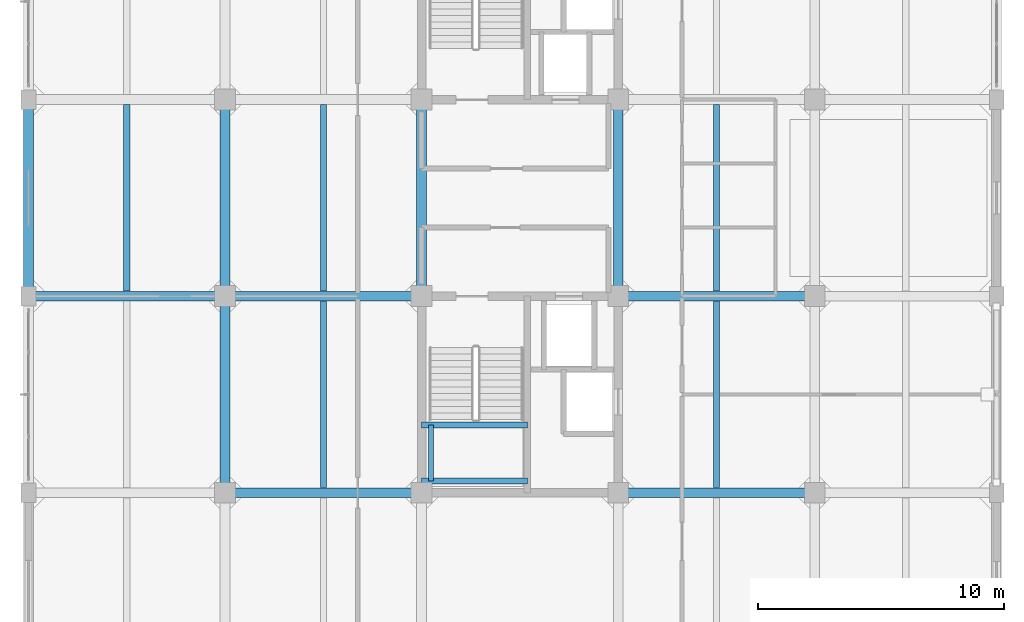
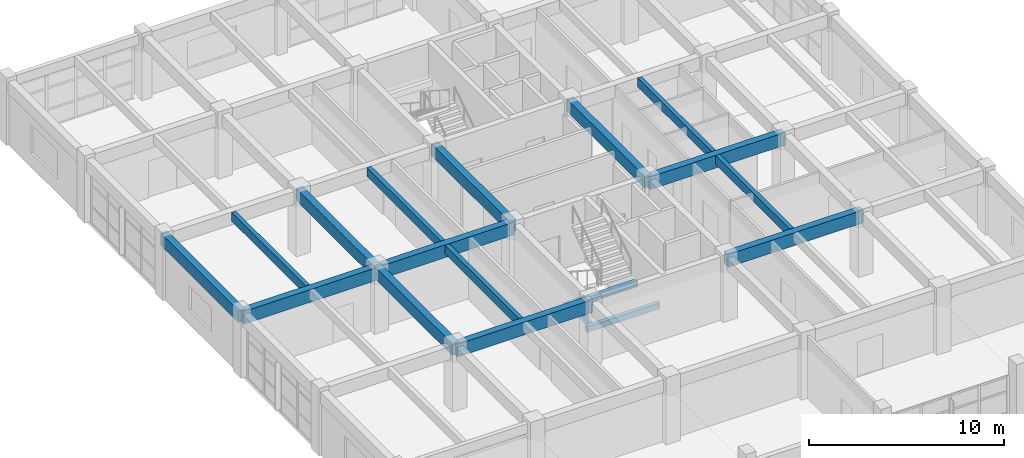
# One storey, part 8 of 27: 18 beams.
"""IFC4 building model written with IfcOpenShell, lengths in metres."""

from ifc_helpers import new_model, si_unit, direction, frame, origin, origin_2d, place, context, subcontext, project, spatial, rectangle, extrude, material, material_profile, profile_set, type_object, element, save


model = new_model("IFC4")

# Units and contexts
model_context = context("Model", 3, precision=1e-05, world=origin(), true_north=direction((0.0, 1.0)))
body_context = subcontext(model_context, "Body", "Model", "MODEL_VIEW")
ifc_project = project(units=[si_unit("LENGTHUNIT", "METRE"), si_unit("AREAUNIT", "SQUARE_METRE"), si_unit("VOLUMEUNIT", "CUBIC_METRE"), si_unit("PLANEANGLEUNIT", "RADIAN"), si_unit("MASSUNIT", "GRAM", prefix="KILO")], contexts=[model_context])

# Site, building, storey
site_placement = place(None, origin())
site = spatial("IfcSite", under=ifc_project, at=site_placement, CompositionType="ELEMENT")
building_placement = place(site_placement, origin())
building = spatial("IfcBuilding", under=site, at=building_placement, Name="Canggui Botanical Conservatory", CompositionType="ELEMENT")
storey_placement = place(building_placement, frame((0.0, 0.0, 23.39990234375)))
storey = spatial("IfcBuildingStorey", under=building, at=storey_placement, Name="L06", CompositionType="ELEMENT", Elevation=23.39990234375)

# Beams
ifc_material = material(Name="Concrete C35", Category="concrete")
ifc_material_profile_1 = material_profile(ifc_material, rectangle(XDim=0.25, YDim=0.550048828125, at=origin_2d()), Name="RB 250x550")
ifc_profile_set_1 = profile_set([ifc_material_profile_1], Name="Concrete C35")
beam_type_1 = type_object("IfcBeamType", Name="BM-JST03", PredefinedType="JOIST", material=ifc_profile_set_1)
for number, where, z_axis, x_axis, name in (
    (1, (142.0, 50.205078125, 3.68505859375), (0.0, 1.0, 0.0), (-1.0, 0.0, 0.0), "Secondary Floor Joist L06-1-3"),
    (2, (150.0, 42.205078125, 3.68505859375), (0.0, 1.0, 0.0), (-1.0, 0.0, 0.0), "Secondary Floor Joist L06-2-2"),
    (3, (150.0, 50.205078125, 3.68505859375), (0.0, 1.0, 0.0), (-1.0, 0.0, 0.0), "Secondary Floor Joist L06-2-3"),
    (4, (166.0, 42.205078125, 3.68505859375), (0.0, 1.0, 0.0), (-1.0, 0.0, 0.0), "Secondary Floor Joist L06-4-2"),
    (5, (166.0, 50.205078125, 3.68505859375), (0.0, 1.0, 0.0), (-1.0, 0.0, 0.0), "Secondary Floor Joist L06-4-3"),
):
    element("IfcBeam", number, at=place(storey_placement, frame(where, z_axis=z_axis, x_axis=x_axis)), inside=storey, type_object=beam_type_1, Name=name, PredefinedType="JOIST", context=body_context, shape_type="SweptSolid", body=[
        extrude(rectangle(XDim=0.25, YDim=0.550048828125, at=origin_2d()), origin(), (0.0, 0.0, 1.0), 7.58984375),
    ])
ifc_material_profile_2 = material_profile(ifc_material, rectangle(XDim=0.39990234375, YDim=0.800048828125, at=origin_2d()), Name="RB 400x800")
ifc_profile_set_2 = profile_set([ifc_material_profile_2], Name="Concrete C35")
beam_type_2 = type_object("IfcBeamType", Name="BM-KL09", PredefinedType="BEAM", material=ifc_profile_set_2)
for number, where, z_axis, x_axis, name in (
    (6, (146.0, 42.0, 3.56005859375), (1.0, 0.0, 0.0), (0.0, 1.0, 0.0), "Frame Girder L06 Y42-2"),
    (7, (162.0, 42.0, 3.56005859375), (1.0, 0.0, 0.0), (0.0, 1.0, 0.0), "Frame Girder L06 Y42-4"),
    (8, (138.0, 50.0, 3.56005859375), (1.0, 0.0, 0.0), (0.0, 1.0, 0.0), "Frame Girder L06 Y50-1"),
    (9, (146.0, 50.0, 3.56005859375), (1.0, 0.0, 0.0), (0.0, 1.0, 0.0), "Frame Girder L06 Y50-2"),
    (10, (162.0, 50.0, 3.56005859375), (1.0, 0.0, 0.0), (0.0, 1.0, 0.0), "Frame Girder L06 Y50-4"),
):
    element("IfcBeam", number, at=place(storey_placement, frame(where, z_axis=z_axis, x_axis=x_axis)), inside=storey, type_object=beam_type_2, Name=name, PredefinedType="BEAM", context=body_context, shape_type="SweptSolid", body=[
        extrude(rectangle(XDim=0.39990234375, YDim=0.800048828125, at=origin_2d()), origin(), (0.0, 0.0, 1.0), 8.0),
    ])
ifc_material_profile_3 = material_profile(ifc_material, rectangle(XDim=0.39990234375, YDim=0.75, at=origin_2d()), Name="RB 400x750")
ifc_profile_set_3 = profile_set([ifc_material_profile_3], Name="Concrete C35")
beam_type_3 = type_object("IfcBeamType", Name="BM-KL10", PredefinedType="BEAM", material=ifc_profile_set_3)
for number, where, z_axis, x_axis, name in (
    (11, (138.0, 50.0, 3.585205078125), (0.0, 1.0, 0.0), (-1.0, 0.0, 0.0), "Frame Girder L06 X138-3"),
    (12, (146.0, 42.0, 3.585205078125), (0.0, 1.0, 0.0), (-1.0, 0.0, 0.0), "Frame Girder L06 X146-2"),
    (13, (146.0, 50.0, 3.585205078125), (0.0, 1.0, 0.0), (-1.0, 0.0, 0.0), "Frame Girder L06 X146-3"),
    (14, (154.0, 50.0, 3.585205078125), (0.0, 1.0, 0.0), (-1.0, 0.0, 0.0), "Frame Girder L06 X154-3"),
    (15, (162.0, 50.0, 3.585205078125), (0.0, 1.0, 0.0), (-1.0, 0.0, 0.0), "Frame Girder L06 X162-3"),
):
    element("IfcBeam", number, at=place(storey_placement, frame(where, z_axis=z_axis, x_axis=x_axis)), inside=storey, type_object=beam_type_3, Name=name, PredefinedType="BEAM", context=body_context, shape_type="SweptSolid", body=[
        extrude(rectangle(XDim=0.39990234375, YDim=0.75, at=origin_2d()), origin(), (0.0, 0.0, 1.0), 8.0),
    ])
ifc_material_profile_4 = material_profile(ifc_material, rectangle(XDim=0.239990234375, YDim=0.360107421875, at=origin_2d()), Name="RB 240x360")
ifc_profile_set_4 = profile_set([ifc_material_profile_4], Name="Concrete C35")
beam_type_4 = type_object("IfcBeamType", Name="BM-LIN01", PredefinedType="LINTEL", material=ifc_profile_set_4)
for number, where, z_axis, x_axis, name in (
    (16, (154.0, 42.47998046875, 1.72021484375), (1.0, 0.0, 0.0), (0.0, 1.0, 0.0), "ST-T1 Half-Landing Ledger Beam L06-1.1"),
    (17, (154.0, 44.75244140625, 1.72021484375), (1.0, 0.0, 0.0), (0.0, 1.0, 0.0), "ST-T1 Half-Landing Ledger Beam L06-1.2"),
):
    element("IfcBeam", number, at=place(storey_placement, frame(where, z_axis=z_axis, x_axis=x_axis)), inside=storey, type_object=beam_type_4, Name=name, PredefinedType="LINTEL", context=body_context, shape_type="SweptSolid", body=[
        extrude(rectangle(XDim=0.239990234375, YDim=0.360107421875, at=origin_2d()), origin(), (0.0, 0.0, 1.0), 4.300048828125),
    ])
ifc_material_profile_5 = material_profile(ifc_material, rectangle(XDim=0.199951171875, YDim=0.320068359375, at=origin_2d()), Name="RB 200x320")
ifc_profile_set_5 = profile_set([ifc_material_profile_5], Name="Concrete C35")
beam_type_5 = type_object("IfcBeamType", Name="BM-LIN02", PredefinedType="LINTEL", material=ifc_profile_set_5)
beam_placement = place(storey_placement, frame((154.3798828125, 42.47998046875, 1.72021484375), z_axis=(0.0, 1.0, 0.0), x_axis=(-1.0, 0.0, 0.0)))
element("IfcBeam", 18, at=beam_placement, inside=storey, type_object=beam_type_5, Name="ST-T1 Half-Landing Edge Ledger L06-1.3", PredefinedType="LINTEL", context=body_context, shape_type="SweptSolid", body=[
    extrude(rectangle(XDim=0.199951171875, YDim=0.320068359375, at=origin_2d()), origin(), (0.0, 0.0, 1.0), 2.2724609375),
])

save(model, "model.ifc")
